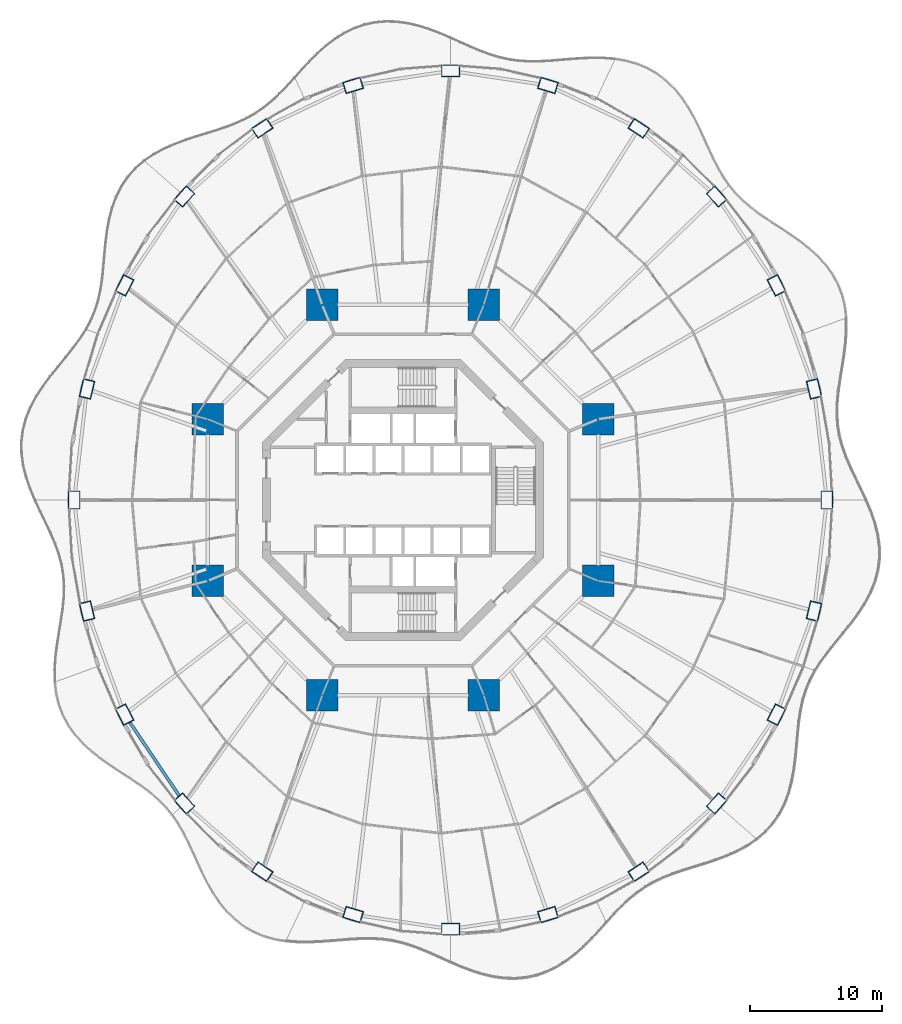
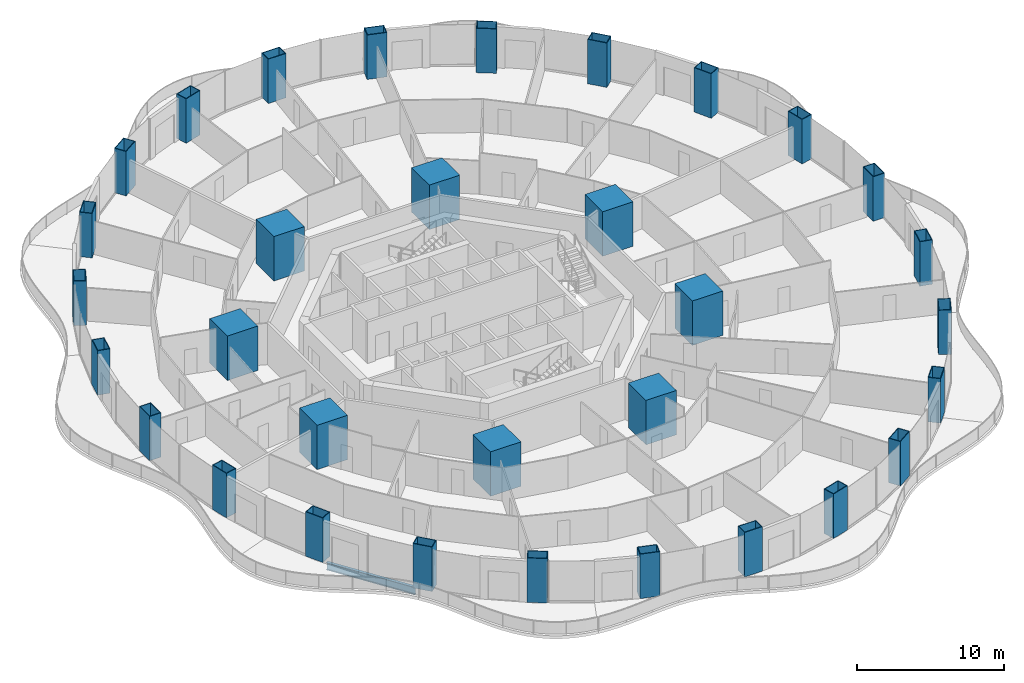
# One storey, part 1 of 21: 32 columns, 1 beam.
"""IFC4 building model written with IfcOpenShell, lengths in metres."""

from ifc_helpers import new_model, si_unit, direction, frame, origin, origin_2d, place, context, subcontext, project, spatial, rectangle, hollow_rectangle, i_section, extrude, material, material_profile, profile_set, type_object, element, save


model = new_model("IFC4")

# Units and contexts
model_context = context("Model", 3, precision=1e-05, world=origin(), true_north=direction((0.0, 1.0)))
body_context = subcontext(model_context, "Body", "Model", "MODEL_VIEW")
ifc_project = project(units=[si_unit("LENGTHUNIT", "METRE"), si_unit("AREAUNIT", "SQUARE_METRE"), si_unit("VOLUMEUNIT", "CUBIC_METRE"), si_unit("PLANEANGLEUNIT", "RADIAN"), si_unit("MASSUNIT", "GRAM", prefix="KILO")], contexts=[model_context])

# Site, building, storey
site_placement = place(None, origin())
site = spatial("IfcSite", under=ifc_project, at=site_placement, CompositionType="ELEMENT")
building_placement = place(site_placement, origin())
building = spatial("IfcBuilding", under=site, at=building_placement, Name="Nagisa Residences", CompositionType="ELEMENT")
storey_placement = place(building_placement, frame((0.0, 0.0, 60.300048828125)))
storey = spatial("IfcBuildingStorey", under=building, at=storey_placement, Name="L14", CompositionType="ELEMENT", Elevation=60.300048828125)

# Columns
ifc_material_1 = material(Name="Concrete C80", Category="concrete")
ifc_material_profile_1 = material_profile(ifc_material_1, rectangle(XDim=2.39990234375, YDim=2.39990234375, at=origin_2d()), Name="C80 2400x2400")
ifc_profile_set_1 = profile_set([ifc_material_profile_1], Name="Concrete C80")
column_type_1 = type_object("IfcColumnType", Name="Inner megacolumn C80 2400x2400", PredefinedType="COLUMN", material=ifc_profile_set_1)
for number, where, z_axis, x_axis, name in (
    (1, (14.781982421875, 6.123046875, 0.0), (0.0, 0.0, 1.0), (1.0, 0.0, 0.0), "col:L14:i1"),
    (2, (6.123046875, 14.781982421875, 0.0), (0.0, 0.0, 1.0), (1.0, 0.0, 0.0), "col:L14:i2"),
    (3, (-6.123046875, 14.781982421875, 0.0), (0.0, 0.0, 1.0), (1.0, 0.0, 0.0), "col:L14:i3"),
    (4, (-14.781982421875, 6.123046875, 0.0), (0.0, 0.0, 1.0), (1.0, 0.0, 0.0), "col:L14:i4"),
    (5, (-14.781982421875, -6.123046875, 0.0), (0.0, 0.0, 1.0), (1.0, 0.0, 0.0), "col:L14:i5"),
    (6, (-6.123046875, -14.781982421875, 0.0), (0.0, 0.0, 1.0), (1.0, 0.0, 0.0), "col:L14:i6"),
    (7, (6.123046875, -14.781982421875, 0.0), (0.0, 0.0, 1.0), (1.0, 0.0, 0.0), "col:L14:i7"),
    (8, (14.781982421875, -6.123046875, 0.0), (0.0, 0.0, 1.0), (1.0, 0.0, 0.0), "col:L14:i8"),
):
    element("IfcColumn", number, at=place(storey_placement, frame(where, z_axis=z_axis, x_axis=x_axis)), inside=storey, type_object=column_type_1, Name=name, PredefinedType="COLUMN", context=body_context, shape_type="SweptSolid", body=[
        extrude(rectangle(XDim=2.39990234375, YDim=2.39990234375, at=origin_2d()), origin(), (0.0, 0.0, 1.0), 3.699951171875),
    ])
ifc_material_2 = material(Name="Steel ASTM A572 Gr 50", Category="steel")
ifc_material_profile_2 = material_profile(ifc_material_2, hollow_rectangle(XDim=1.39990234375, YDim=0.89990234375, WallThickness=0.050048828125, at=origin_2d()), Name="BX 1400x900x50")
ifc_profile_set_2 = profile_set([ifc_material_profile_2], Name="Steel ASTM A572 Gr 50")
column_type_2 = type_object("IfcColumnType", Name="Perimeter column BX 1400x900x50", PredefinedType="COLUMN", material=ifc_profile_set_2)
for number, where, z_axis, x_axis, name in (
    (9, (32.10009765625, 0.0, 0.0), (0.0, 0.0, 1.0), (0.0, 1.0, 0.0), "col:L14:p00"),
    (10, (31.12890625, 8.41162109375, 0.0), (0.0, 0.0, 1.0), (-0.229202013103, 0.973378876486, 0.0), "col:L14:p01"),
    (11, (28.28173828125, 16.25, 0.0), (0.0, 0.0, 1.0), (-0.452462697578, 0.891783329795, 0.0), "col:L14:p02"),
    (12, (23.75244140625, 22.98095703125, 0.0), (0.0, 0.0, 1.0), (-0.660114607735, 0.751164898445, 0.0), "col:L14:p03"),
    (13, (17.85009765625, 28.145751953125, 0.0), (0.0, 0.0, 1.0), (-0.835766105673, 0.54908561865, 0.0), "col:L14:p04"),
    (14, (10.976318359375, 31.392578125, 0.0), (0.0, 0.0, 1.0), (-0.956524583408, 0.291651712384, 0.0), "col:L14:p05"),
    (15, (3.60009765625, 32.5, 0.0), (0.0, 0.0, 1.0), (-1.0, 0.0, 0.0), "col:L14:p06"),
    (16, (-3.7763671875, 31.392578125, 0.0), (0.0, 0.0, 1.0), (-0.956524583408, -0.291651712384, 0.0), "col:L14:p07"),
    (17, (-10.64990234375, 28.145751953125, 0.0), (0.0, 0.0, 1.0), (-0.835766105673, -0.54908561865, 0.0), "col:L14:p08"),
    (18, (-16.552490234375, 22.98095703125, 0.0), (0.0, 0.0, 1.0), (-0.660114607735, -0.751164898445, 0.0), "col:L14:p09"),
    (19, (-21.081787109375, 16.25, 0.0), (0.0, 0.0, 1.0), (-0.452462697578, -0.891783329795, 0.0), "col:L14:p10"),
    (20, (-23.928955078125, 8.41162109375, 0.0), (0.0, 0.0, 1.0), (-0.229202013103, -0.973378876486, 0.0), "col:L14:p11"),
    (21, (-24.89990234375, 0.0, 0.0), (0.0, 0.0, 1.0), (0.0, -1.0, 0.0), "col:L14:p12"),
    (22, (-23.928955078125, -8.41162109375, 0.0), (0.0, 0.0, 1.0), (0.229202013103, -0.973378876486, 0.0), "col:L14:p13"),
    (23, (-21.081787109375, -16.25, 0.0), (0.0, 0.0, 1.0), (0.452462697578, -0.891783329795, 0.0), "col:L14:p14"),
    (24, (-16.552490234375, -22.98095703125, 0.0), (0.0, 0.0, 1.0), (0.660114607735, -0.751164898445, 0.0), "col:L14:p15"),
    (25, (-10.64990234375, -28.145751953125, 0.0), (0.0, 0.0, 1.0), (0.835766105673, -0.54908561865, 0.0), "col:L14:p16"),
    (26, (-3.7763671875, -31.392578125, 0.0), (0.0, 0.0, 1.0), (0.956524583408, -0.291651712384, 0.0), "col:L14:p17"),
    (27, (3.60009765625, -32.5, 0.0), (0.0, 0.0, 1.0), (1.0, 0.0, 0.0), "col:L14:p18"),
    (28, (10.976318359375, -31.392578125, 0.0), (0.0, 0.0, 1.0), (0.956524583408, 0.291651712384, 0.0), "col:L14:p19"),
    (29, (17.85009765625, -28.145751953125, 0.0), (0.0, 0.0, 1.0), (0.835766105673, 0.54908561865, 0.0), "col:L14:p20"),
    (30, (23.75244140625, -22.98095703125, 0.0), (0.0, 0.0, 1.0), (0.660114607735, 0.751164898445, 0.0), "col:L14:p21"),
    (31, (28.28173828125, -16.25, 0.0), (0.0, 0.0, 1.0), (0.452462697578, 0.891783329795, 0.0), "col:L14:p22"),
    (32, (31.12890625, -8.41162109375, 0.0), (0.0, 0.0, 1.0), (0.229202013103, 0.973378876486, 0.0), "col:L14:p23"),
):
    element("IfcColumn", number, at=place(storey_placement, frame(where, z_axis=z_axis, x_axis=x_axis)), inside=storey, type_object=column_type_2, Name=name, PredefinedType="COLUMN", context=body_context, shape_type="SweptSolid", body=[
        extrude(hollow_rectangle(XDim=1.39990234375, YDim=0.89990234375, WallThickness=0.050048828125, at=origin_2d()), origin(), (0.0, 0.0, 1.0), 3.699951171875),
    ])

# Beam
ifc_material_3 = material(Name="Steel ASTM A572 Gr 50", Category="steel")
ifc_material_profile_3 = material_profile(ifc_material_3, i_section(OverallWidth=0.22802734375, OverallDepth=0.60302734375, WebThickness=0.010498046875, FlangeThickness=0.014892578125, at=origin_2d()), Name="W610x101")
ifc_profile_set_3 = profile_set([ifc_material_profile_3], Name="Steel ASTM A572 Gr 50")
beam_type = type_object("IfcBeamType", Name="Perimeter ring beam W610x101", PredefinedType="BEAM", material=ifc_profile_set_3)
beam_placement = place(storey_placement, frame((-20.69921875, -16.818603515625, -0.5615234375), z_axis=(0.558296806041, -0.829641293792, 0.0), x_axis=(0.829641293792, 0.558296806041, 0.0)))
element("IfcBeam", 33, at=beam_placement, inside=storey, type_object=beam_type, Name="beam:L14:pb15", PredefinedType="BEAM", context=body_context, shape_type="SweptSolid", body=[
    extrude(i_section(OverallWidth=0.22802734375, OverallDepth=0.60302734375, WebThickness=0.010498046875, FlangeThickness=0.014892578125, at=origin_2d()), origin(), (0.0, 0.0, 1.0), 6.74169921875),
])

save(model, "model.ifc")
